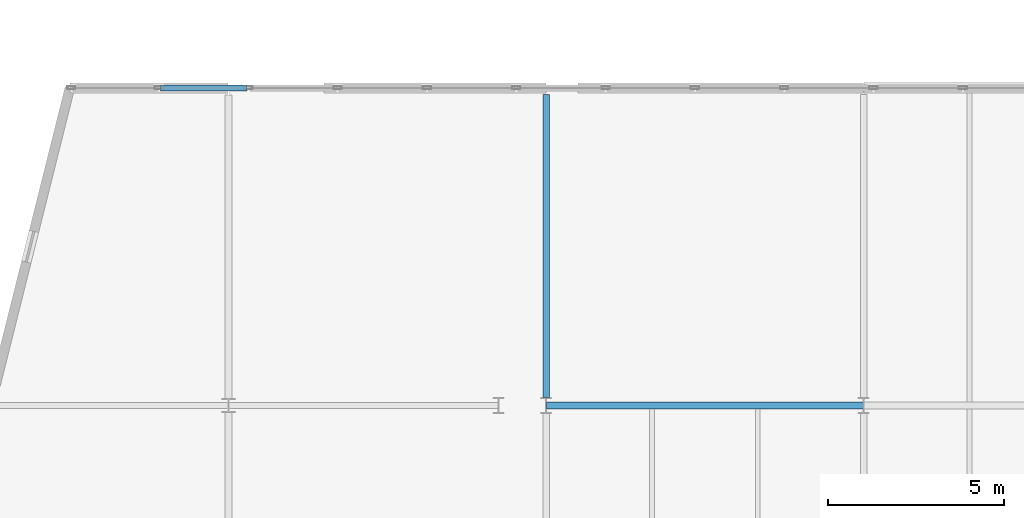
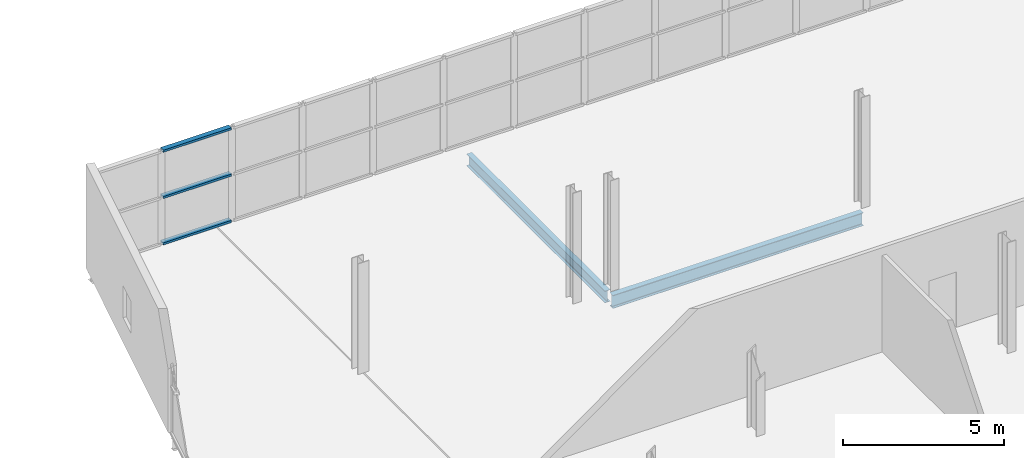
# One storey, part 60 of 88: 3 members, 2 beams, 1 element without a shape of its own.
"""IFC4 building model written with IfcOpenShell, lengths in metres."""

import ifcopenshell
import ifcopenshell.guid

model = None  # the IFC model being written
_history = None  # IfcOwnerHistory: only IFC2X3 demands one
_inside = {}  # id of a spatial element -> (the spatial element, [elements in it])
_under = {}  # id of a project, library or spatial element -> (it, [spatial elements below it])
_declared = {}  # id of a project -> (the project, [libraries it declares])
_typed = {}  # id of a type object -> (the type object, [elements of that type])
_made_of = {}  # id of a material, layer set ... -> (it, [elements and type objects made of it])


def new_model(schema):
    """Start an empty IFC model of exactly this schema.

    Asked for "IFC4X3", IfcOpenShell would pick the latest addendum, in which some entities
    have other attributes; the version numbers below select the first issue.
    IFC2X3 requires an IfcOwnerHistory on every rooted entity: one is made here for all.
    """
    global model, _history
    if schema == "IFC4X3":
        model = ifcopenshell.file(schema_version=(4, 3, 0, 0))
    else:
        model = ifcopenshell.file(schema=schema)
    _inside.clear()
    _under.clear()
    _declared.clear()
    _typed.clear()
    _made_of.clear()
    _history = None
    if model.schema == "IFC2X3":
        org = make("IfcOrganization", Name="unknown")
        user = make(
            "IfcPersonAndOrganization",
            ThePerson=make("IfcPerson", FamilyName="unknown"),
            TheOrganization=org,
        )
        app = make(
            "IfcApplication",
            ApplicationDeveloper=org,
            Version="unknown",
            ApplicationFullName="unknown",
            ApplicationIdentifier="unknown",
        )
        _history = make(
            "IfcOwnerHistory",
            OwningUser=user,
            OwningApplication=app,
            ChangeAction="ADDED",
            CreationDate=0,
        )
    return model


def make(cls, **values):
    """One entity of the class cls with the attributes given. An attribute that is None is left unset."""
    return model.create_entity(
        cls, **{name: value for name, value in values.items() if value is not None}
    )


def rooted(cls, **values):
    """An entity with a GlobalId (a new one), such as an element, a storey or a relation."""
    return make(cls, GlobalId=ifcopenshell.guid.new(), OwnerHistory=_history, **values)


def si_unit(unit_type, name, prefix=None):
    """IfcSIUnit, for example si_unit("LENGTHUNIT", "METRE", prefix="MILLI")."""
    return make("IfcSIUnit", UnitType=unit_type, Prefix=prefix, Name=name)


def assignment(units):
    """IfcUnitAssignment: the units of a project."""
    return None if units is None else make("IfcUnitAssignment", Units=units)


def point(xyz):
    """IfcCartesianPoint."""
    return None if xyz is None else make("IfcCartesianPoint", Coordinates=xyz)


def direction(xyz):
    """IfcDirection."""
    return None if xyz is None else make("IfcDirection", DirectionRatios=xyz)


def frame(location, z_axis=None, x_axis=None):
    """IfcAxis2Placement3D, a coordinate frame: its origin and axes. An axis left out is left unset."""
    return make(
        "IfcAxis2Placement3D",
        Location=point(location),
        Axis=direction(z_axis),
        RefDirection=direction(x_axis),
    )


def frame_2d(location, x_axis=None):
    """IfcAxis2Placement2D, a coordinate frame in the plane: its origin and x axis."""
    return make(
        "IfcAxis2Placement2D", Location=point(location), RefDirection=direction(x_axis)
    )


def origin():
    """The frame at (0, 0, 0) with its axes left unset."""
    return frame((0.0, 0.0, 0.0))


def origin_2d():
    """The frame at (0, 0) in the plane with its x axis left unset."""
    return frame_2d((0.0, 0.0))


def place(relative_to, where):
    """IfcLocalPlacement: puts the frame where relative to a parent placement (None: the world)."""
    return make(
        "IfcLocalPlacement", PlacementRelTo=relative_to, RelativePlacement=where
    )


def context(
    kind, dimensions, precision=None, world=None, true_north=None, identifier=None
):
    """IfcGeometricRepresentationContext, for example the 3D "Model" context."""
    return make(
        "IfcGeometricRepresentationContext",
        ContextIdentifier=identifier,
        ContextType=kind,
        CoordinateSpaceDimension=dimensions,
        Precision=precision,
        WorldCoordinateSystem=world,
        TrueNorth=true_north,
    )


def subcontext(parent, identifier, kind, view, scale=None):
    """IfcGeometricRepresentationSubContext, for example "Body" below "Model"."""
    return make(
        "IfcGeometricRepresentationSubContext",
        ContextIdentifier=identifier,
        ContextType=kind,
        ParentContext=parent,
        TargetScale=scale,
        TargetView=view,
    )


def project(units=None, contexts=None):
    """IfcProject with its units and contexts."""
    return rooted(
        "IfcProject",
        Name="project",
        RepresentationContexts=contexts,
        UnitsInContext=assignment(units),
    )


def spatial(cls, under=None, at=None, **own):
    """A site, building, storey or space (cls), placed at a placement, below another one or the project."""
    s = rooted(cls, ObjectPlacement=at, **own)
    if under is not None:
        _under.setdefault(under.id(), (under, []))[1].append(s)
    return s


def profile(cls, at=None, kind="AREA", **sizes):
    """A parametric profile (cls). Its sizes go by their IFC names, for example OverallWidth=200.0."""
    return make(cls, ProfileType=kind, Position=at, **sizes)


def hollow_rectangle(**sizes):
    """IfcRectangleHollowProfileDef."""
    return profile("IfcRectangleHollowProfileDef", **sizes)


def i_section(**sizes):
    """IfcIShapeProfileDef."""
    return profile("IfcIShapeProfileDef", **sizes)


def extrude(swept, where, along, depth):
    """IfcExtrudedAreaSolid: the profile swept, set in the frame where, extruded along a direction by depth."""
    return make(
        "IfcExtrudedAreaSolid",
        SweptArea=swept,
        Position=where,
        ExtrudedDirection=direction(along),
        Depth=depth,
    )


def shape(context_of_items, identifier, shape_type, items):
    """IfcShapeRepresentation: the items that make up one representation, for example the "Body"."""
    return make(
        "IfcShapeRepresentation",
        ContextOfItems=context_of_items,
        RepresentationIdentifier=identifier,
        RepresentationType=shape_type,
        Items=items,
    )


def material(Name=None, Category=None):
    """IfcMaterial."""
    return make("IfcMaterial", Name=Name, Category=Category)


def layer(
    of_material, thickness, ventilated=None, Name=None, Category=None, Priority=None
):
    """IfcMaterialLayer: one layer of a wall or slab, of a material (None: an air gap)."""
    return make(
        "IfcMaterialLayer",
        Material=of_material,
        LayerThickness=thickness,
        IsVentilated=ventilated,
        Name=Name,
        Category=Category,
        Priority=Priority,
    )


def layer_set(layers, Name=None):
    """IfcMaterialLayerSet."""
    return make("IfcMaterialLayerSet", MaterialLayers=layers, LayerSetName=Name)


def material_profile(
    of_material, cross_section, Name=None, Category=None, Priority=None
):
    """IfcMaterialProfile: a cross section and its material."""
    return make(
        "IfcMaterialProfile",
        Name=Name,
        Material=of_material,
        Profile=cross_section,
        Priority=Priority,
        Category=Category,
    )


def profile_set(profiles, Name=None, composite=None):
    """IfcMaterialProfileSet."""
    return make(
        "IfcMaterialProfileSet",
        Name=Name,
        MaterialProfiles=profiles,
        CompositeProfile=composite,
    )


def made_of(thing, what):
    """Note that an element or type object is made of a material, layer set ...; save() writes the relation."""
    if what is not None:
        _made_of.setdefault(what.id(), (what, []))[1].append(thing)
    return thing


def type_object(cls, material=None, **own):
    """A type object (cls), such as IfcWallType, which elements share."""
    return made_of(rooted(cls, **own), material)


def element(
    cls,
    number,
    at=None,
    inside=None,
    cuts=None,
    type_object=None,
    material=None,
    context=None,
    identifier="Body",
    shape_type=None,
    held_by="IfcProductDefinitionShape",
    body=None,
    shapes=None,
    **own,
):
    """One element of the class cls, such as IfcWall. Its Tag is "e" and its number.

    at: its placement. inside: the storey or other place that contains it. cuts: it is an
    opening in that element (IfcRelVoidsElement). A single representation is given by context,
    identifier, shape_type and body (its items); several are given by shapes. held_by: the class
    of the entity that holds the representations. save() writes the other relations.
    """
    e = rooted(cls, Tag="e%d" % number, ObjectPlacement=at, **own)
    if body is not None:
        shapes = [shape(context, identifier, shape_type, body)]
    if shapes is not None:
        e.Representation = make(held_by, Representations=shapes)
    if inside is not None:
        _inside.setdefault(inside.id(), (inside, []))[1].append(e)
    if cuts is not None:
        rooted(
            "IfcRelVoidsElement", RelatingBuildingElement=cuts, RelatedOpeningElement=e
        )
    if type_object is not None:
        _typed.setdefault(type_object.id(), (type_object, []))[1].append(e)
    return made_of(e, material)


def aggregate(whole, parts):
    """IfcRelAggregates: a whole, such as a stair, and the parts it consists of."""
    return rooted("IfcRelAggregates", RelatingObject=whole, RelatedObjects=parts)


def save(model, path):
    """Write the relations noted so far, then the file.

    IfcRelAggregates (storeys below a building ...), IfcRelContainedInSpatialStructure (elements
    in a storey), IfcRelDefinesByType, IfcRelAssociatesMaterial and IfcRelDeclares: one each for
    every whole, place, type object, material and project.
    """
    for whole, parts in _under.values():
        aggregate(whole, parts)
    for where, things in _inside.values():
        rooted(
            "IfcRelContainedInSpatialStructure",
            RelatedElements=things,
            RelatingStructure=where,
        )
    for kind, things in _typed.values():
        rooted("IfcRelDefinesByType", RelatedObjects=things, RelatingType=kind)
    for what, things in _made_of.values():
        rooted("IfcRelAssociatesMaterial", RelatedObjects=things, RelatingMaterial=what)
    for by, libraries in _declared.values():
        rooted("IfcRelDeclares", RelatingContext=by, RelatedDefinitions=libraries)
    model.write(path)


model = new_model("IFC4")

# Units and contexts
model_context = context("Model", 3, precision=1e-05, world=origin(), true_north=direction((0.0, 1.0)))
body_context = subcontext(model_context, "Body", "Model", "MODEL_VIEW")
ifc_project = project(units=[si_unit("LENGTHUNIT", "METRE"), si_unit("AREAUNIT", "SQUARE_METRE"), si_unit("VOLUMEUNIT", "CUBIC_METRE"), si_unit("PLANEANGLEUNIT", "RADIAN"), si_unit("MASSUNIT", "GRAM", prefix="KILO")], contexts=[model_context])

# Site, building, storey
site_placement = place(None, origin())
site = spatial("IfcSite", under=ifc_project, at=site_placement, CompositionType="ELEMENT")
building_placement = place(site_placement, origin())
building = spatial("IfcBuilding", under=site, at=building_placement, Name="Deido Ridge Mobility Hub", CompositionType="ELEMENT")
storey_placement = place(building_placement, frame((0.0, 0.0, 16.800048828125)))
storey = spatial("IfcBuildingStorey", under=building, at=storey_placement, Name="L04", CompositionType="ELEMENT", Elevation=16.800048828125)

# Beams
ifc_material_1 = material(Name="Steel S355J2 EN 10025-2", Category="steel")
ifc_material_profile_1 = material_profile(ifc_material_1, i_section(OverallWidth=0.18994140625, OverallDepth=0.449951171875, WebThickness=0.009521484375, FlangeThickness=0.0146484375, FilletRadius=0.02099609375, at=origin_2d()), Name="IPE 450")
ifc_profile_set_1 = profile_set([ifc_material_profile_1], Name="Steel S355J2 EN 10025-2")
beam_type_1 = type_object("IfcBeamType", Name="BM-IPE450", PredefinedType="BEAM", material=ifc_profile_set_1)
beam_1_placement = place(storey_placement, frame((153.0, 63.22509765625, -0.5), z_axis=(0.0, 1.0, 0.0), x_axis=(-1.0, 0.0, 0.0)))
element("IfcBeam", 1, at=beam_1_placement, inside=storey, type_object=beam_type_1, Name="Floor beam B4", PredefinedType="BEAM", context=body_context, shape_type="SweptSolid", body=[
    extrude(i_section(OverallWidth=0.18994140625, OverallDepth=0.449951171875, WebThickness=0.009521484375, FlangeThickness=0.0146484375, FilletRadius=0.02099609375, at=origin_2d()), origin(), (0.0, 0.0, 1.0), 8.594970703125),
])
ifc_material_profile_2 = material_profile(ifc_material_1, i_section(OverallWidth=0.199951171875, OverallDepth=0.5, WebThickness=0.01025390625, FlangeThickness=0.01611328125, FilletRadius=0.02099609375, at=origin_2d()), Name="IPE 500")
ifc_profile_set_2 = profile_set([ifc_material_profile_2], Name="Steel S355J2 EN 10025-2")
beam_type_2 = type_object("IfcBeamType", Name="BM-IPE500", PredefinedType="BEAM", material=ifc_profile_set_2)
beam_2_placement = place(storey_placement, frame((153.007080078125, 63.0, -0.525146484375), z_axis=(1.0, 0.0, 0.0), x_axis=(0.0, 1.0, 0.0)))
element("IfcBeam", 2, at=beam_2_placement, inside=storey, type_object=beam_type_2, Name="Floor beam B3", PredefinedType="BEAM", context=body_context, shape_type="SweptSolid", body=[
    extrude(i_section(OverallWidth=0.199951171875, OverallDepth=0.5, WebThickness=0.01025390625, FlangeThickness=0.01611328125, FilletRadius=0.02099609375, at=origin_2d()), origin(), (0.0, 0.0, 1.0), 8.98583984375),
])

# Curtain wall, members
ifc_material_2 = material(Name="Anodised aluminium EN AW-6063 T6", Category="aluminium")
ifc_layer = layer(ifc_material_2, 0.132080078125, Name="Anodised aluminium EN AW-6063 T6")
ifc_layer_set = layer_set([ifc_layer], Name="Anodised aluminium EN AW-6063 T6")
curtain_wall_type = type_object("IfcCurtainWallType", Name="CW-GS-1", PredefinedType="USERDEFINED", material=ifc_layer_set)
curtain_wall_placement = place(storey_placement, origin())
curtain_wall = element("IfcCurtainWall", 3, at=curtain_wall_placement, inside=storey, type_object=curtain_wall_type, Name="Unitised curtain wall GS1", ObjectType="GLAZED SCREEN", PredefinedType="USERDEFINED")
ifc_material_profile_3 = material_profile(ifc_material_2, hollow_rectangle(XDim=0.175048828125, YDim=0.0849609375, WallThickness=0.00390625, at=origin_2d()), Name="RHS 175x85x4")
ifc_profile_set_3 = profile_set([ifc_material_profile_3], Name="Anodised aluminium EN AW-6063 T6")
member_type = type_object("IfcMemberType", Name="MEM-TRN-175X85", PredefinedType="USERDEFINED", material=ifc_profile_set_3)
member_1_placement = place(storey_placement, frame((142.07373046875, 72.0, 0.04248046875), z_axis=(1.0, 0.0, 0.0), x_axis=(0.0, 1.0, 0.0)))
member_1 = element("IfcMember", 4, at=member_1_placement, type_object=member_type, Name="GS1 transom 2.1", ObjectType="TRANSOM", PredefinedType="USERDEFINED", context=body_context, shape_type="SweptSolid", body=[
    extrude(hollow_rectangle(XDim=0.175048828125, YDim=0.0849609375, WallThickness=0.00390625, at=origin_2d()), origin(), (0.0, 0.0, 1.0), 2.4462890625),
])
member_2_placement = place(storey_placement, frame((142.07373046875, 72.0, 1.800048828125), z_axis=(1.0, 0.0, 0.0), x_axis=(0.0, 1.0, 0.0)))
member_2 = element("IfcMember", 5, at=member_2_placement, type_object=member_type, Name="GS1 transom 2.2", ObjectType="TRANSOM", PredefinedType="USERDEFINED", context=body_context, shape_type="SweptSolid", body=[
    extrude(hollow_rectangle(XDim=0.175048828125, YDim=0.0849609375, WallThickness=0.00390625, at=origin_2d()), origin(), (0.0, 0.0, 1.0), 2.4462890625),
])
member_3_placement = place(storey_placement, frame((142.07373046875, 72.0, 3.557373046875), z_axis=(1.0, 0.0, 0.0), x_axis=(0.0, 1.0, 0.0)))
member_3 = element("IfcMember", 6, at=member_3_placement, type_object=member_type, Name="GS1 transom 2.3", ObjectType="TRANSOM", PredefinedType="USERDEFINED", context=body_context, shape_type="SweptSolid", body=[
    extrude(hollow_rectangle(XDim=0.175048828125, YDim=0.0849609375, WallThickness=0.00390625, at=origin_2d()), origin(), (0.0, 0.0, 1.0), 2.4462890625),
])
aggregate(curtain_wall, [member_1, member_2, member_3])

save(model, "model.ifc")
